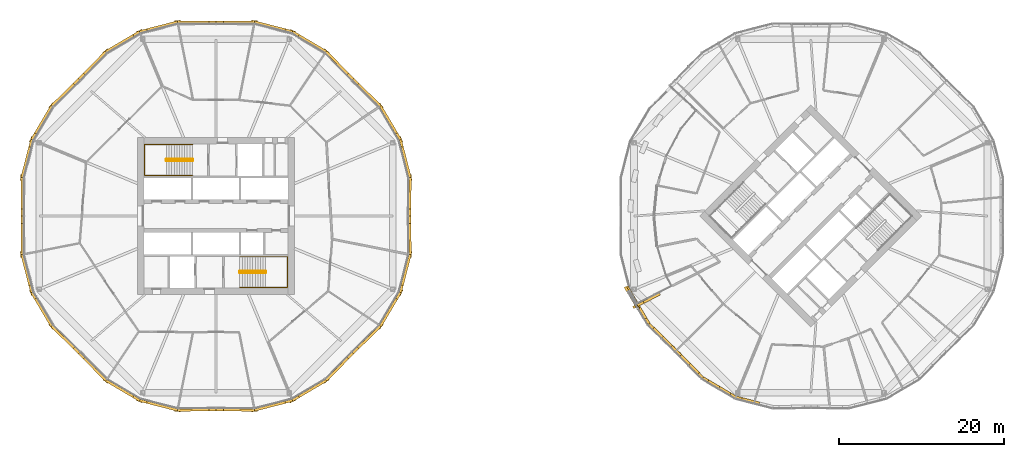
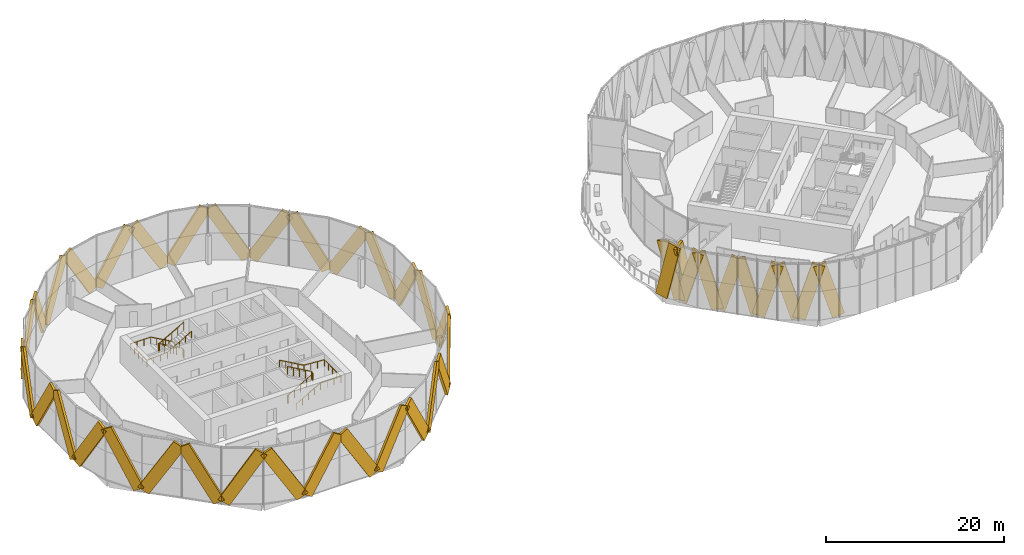
# One storey, part 28 of 31: 43 coverings, 4 railings.
"""IFC4 building model written with IfcOpenShell, lengths in metres."""

from ifc_helpers import new_model, si_unit, direction, frame, origin, origin_2d, place, context, subcontext, project, spatial, rectangle, circle, extrude, material, material_profile, profile_set, type_object, element, save


model = new_model("IFC4")

# Units and contexts
model_context = context("Model", 3, precision=1e-05, world=origin(), true_north=direction((0.0, 1.0)))
body_context = subcontext(model_context, "Body", "Model", "MODEL_VIEW")
ifc_project = project(units=[si_unit("LENGTHUNIT", "METRE"), si_unit("AREAUNIT", "SQUARE_METRE"), si_unit("VOLUMEUNIT", "CUBIC_METRE"), si_unit("PLANEANGLEUNIT", "RADIAN"), si_unit("MASSUNIT", "GRAM", prefix="KILO")], contexts=[model_context])

# Site, building, storey
site_placement = place(None, origin())
site = spatial("IfcSite", under=ifc_project, at=site_placement, CompositionType="ELEMENT")
building_placement = place(site_placement, origin())
building = spatial("IfcBuilding", under=site, at=building_placement, Name="Ogive Gate Towers", CompositionType="ELEMENT")
storey_placement = place(building_placement, frame((0.0, 0.0, 107.39990234375)))
storey = spatial("IfcBuildingStorey", under=building, at=storey_placement, Name="L25", CompositionType="ELEMENT", Elevation=107.39990234375)

# Coverings
ifc_material_1 = material(Name="Pale metal aluminium", Category="aluminium")
ifc_material_profile = material_profile(ifc_material_1, rectangle(XDim=0.300048828125, YDim=1.5, at=origin_2d()), Name="1500 x 300 pale metal aluminium")
ifc_profile_set = profile_set([ifc_material_profile], Name="Pale metal aluminium")
covering_type = type_object("IfcCoveringType", Name="Facade fin 1500 x 300", PredefinedType="CLADDING", material=ifc_profile_set)
covering_1_placement = place(storey_placement, frame((-12.50634765625, 4.39013671875, 0.13623046875), z_axis=(-0.00510571311, -0.514831107195, 0.857276421441), x_axis=(0.99995082762, -0.009916770722, 0.0)))
element("IfcCovering", 1, at=covering_1_placement, inside=storey, type_object=covering_type, Name="Facade fin", PredefinedType="CLADDING", context=body_context, shape_type="SweptSolid", body=[
    extrude(rectangle(XDim=0.300048828125, YDim=1.5, at=origin_2d()), origin(), (0.0, 0.0, 1.0), 8.0810546875),
])
for number, where, z_axis, x_axis, name in (
    (2, (-12.56982421875, 4.90625, 0.139892578125), (-0.129501542212, 0.50341953947, 0.854282223767), (-0.968469355156, -0.249132711872, 0.0), "Facade fin"),
    (3, (-15.963134765625, 13.098388671875, 0.139892578125), (0.264397701784, -0.44754426895, 0.854282144623), (0.860977310403, 0.508643363243, 0.0), "Facade fin"),
):
    element("IfcCovering", number, at=place(storey_placement, frame(where, z_axis=z_axis, x_axis=x_axis)), inside=storey, type_object=covering_type, Name=name, PredefinedType="CLADDING", context=body_context, shape_type="SweptSolid", body=[
        extrude(rectangle(XDim=0.300048828125, YDim=1.5, at=origin_2d()), origin(), (0.0, 0.0, 1.0), 8.100830078125),
    ])
for number, where, z_axis, x_axis, name in (
    (4, (-16.283203125, 13.50830078125, 0.13623046875), (-0.367644035222, 0.360423480992, 0.857282204245), (-0.70005967701, -0.714084342794, 0.0), "Facade fin"),
    (5, (-22.49169921875, 19.716796875, 0.13623046875), (0.360423480992, -0.367644035222, 0.857282204245), (0.714084342794, 0.70005967701, 0.0), "Facade fin"),
):
    element("IfcCovering", number, at=place(storey_placement, frame(where, z_axis=z_axis, x_axis=x_axis)), inside=storey, type_object=covering_type, Name=name, PredefinedType="CLADDING", context=body_context, shape_type="SweptSolid", body=[
        extrude(rectangle(XDim=0.300048828125, YDim=1.5, at=origin_2d()), origin(), (0.0, 0.0, 1.0), 8.0810546875),
    ])
for number, where, z_axis, x_axis, name in (
    (6, (-22.901611328125, 20.036865234375, 0.139892578125), (-0.44754426895, 0.264397701784, 0.854282144623), (-0.508643363243, -0.860977310403, 0.0), "Facade fin"),
    (7, (-31.09375, 23.43017578125, 0.139892578125), (0.50341953947, -0.129501542212, 0.854282223767), (0.249132711872, 0.968469355156, 0.0), "Facade fin"),
):
    element("IfcCovering", number, at=place(storey_placement, frame(where, z_axis=z_axis, x_axis=x_axis)), inside=storey, type_object=covering_type, Name=name, PredefinedType="CLADDING", context=body_context, shape_type="SweptSolid", body=[
        extrude(rectangle(XDim=0.300048828125, YDim=1.5, at=origin_2d()), origin(), (0.0, 0.0, 1.0), 8.100830078125),
    ])
for number, where, z_axis, x_axis, name in (
    (8, (-31.60986328125, 23.49365234375, 0.13623046875), (-0.514831107195, -0.00510571311, 0.857276421441), (0.009916770722, -0.99995082762, 0.0), "Facade fin"),
    (9, (-40.39013671875, 23.49365234375, 0.13623046875), (0.514831107195, -0.00510571311, 0.857276421441), (0.009916770722, 0.99995082762, 0.0), "Facade fin"),
):
    element("IfcCovering", number, at=place(storey_placement, frame(where, z_axis=z_axis, x_axis=x_axis)), inside=storey, type_object=covering_type, Name=name, PredefinedType="CLADDING", context=body_context, shape_type="SweptSolid", body=[
        extrude(rectangle(XDim=0.300048828125, YDim=1.5, at=origin_2d()), origin(), (0.0, 0.0, 1.0), 8.0810546875),
    ])
for number, where, z_axis, x_axis, name in (
    (10, (-40.90625, 23.43017578125, 0.139892578125), (-0.50341953947, -0.129501542212, 0.854282223767), (0.249132711872, -0.968469355156, 0.0), "Facade fin"),
    (11, (-49.098388671875, 20.036865234375, 0.139892578125), (0.44754426895, 0.264397701784, 0.854282144623), (-0.508643363243, 0.860977310403, 0.0), "Facade fin"),
):
    element("IfcCovering", number, at=place(storey_placement, frame(where, z_axis=z_axis, x_axis=x_axis)), inside=storey, type_object=covering_type, Name=name, PredefinedType="CLADDING", context=body_context, shape_type="SweptSolid", body=[
        extrude(rectangle(XDim=0.300048828125, YDim=1.5, at=origin_2d()), origin(), (0.0, 0.0, 1.0), 8.100830078125),
    ])
for number, where, z_axis, x_axis, name in (
    (12, (-49.50830078125, 19.716796875, 0.13623046875), (-0.360423480992, -0.367644035222, 0.857282204245), (0.714084342794, -0.70005967701, 0.0), "Facade fin"),
    (13, (-55.716796875, 13.50830078125, 0.13623046875), (0.367644035222, 0.360423480992, 0.857282204245), (-0.70005967701, 0.714084342794, 0.0), "Facade fin"),
):
    element("IfcCovering", number, at=place(storey_placement, frame(where, z_axis=z_axis, x_axis=x_axis)), inside=storey, type_object=covering_type, Name=name, PredefinedType="CLADDING", context=body_context, shape_type="SweptSolid", body=[
        extrude(rectangle(XDim=0.300048828125, YDim=1.5, at=origin_2d()), origin(), (0.0, 0.0, 1.0), 8.0810546875),
    ])
for number, where, z_axis, x_axis, name in (
    (14, (-56.036865234375, 13.098388671875, 0.139892578125), (-0.264397701784, -0.44754426895, 0.854282144623), (0.860977310403, -0.508643363243, 0.0), "Facade fin"),
    (15, (-59.43017578125, 4.90625, 0.139892578125), (0.129501542212, 0.50341953947, 0.854282223767), (-0.968469355156, 0.249132711872, 0.0), "Facade fin"),
):
    element("IfcCovering", number, at=place(storey_placement, frame(where, z_axis=z_axis, x_axis=x_axis)), inside=storey, type_object=covering_type, Name=name, PredefinedType="CLADDING", context=body_context, shape_type="SweptSolid", body=[
        extrude(rectangle(XDim=0.300048828125, YDim=1.5, at=origin_2d()), origin(), (0.0, 0.0, 1.0), 8.100830078125),
    ])
for number, where, z_axis, x_axis, name in (
    (16, (-59.49365234375, 4.39013671875, 0.13623046875), (0.00510571311, -0.514831107195, 0.857276421441), (0.99995082762, 0.009916770722, 0.0), "Facade fin"),
    (17, (-59.49365234375, -4.39013671875, 0.13623046875), (0.00510571311, 0.514831107195, 0.857276421441), (-0.99995082762, 0.009916770722, 0.0), "Facade fin"),
):
    element("IfcCovering", number, at=place(storey_placement, frame(where, z_axis=z_axis, x_axis=x_axis)), inside=storey, type_object=covering_type, Name=name, PredefinedType="CLADDING", context=body_context, shape_type="SweptSolid", body=[
        extrude(rectangle(XDim=0.300048828125, YDim=1.5, at=origin_2d()), origin(), (0.0, 0.0, 1.0), 8.0810546875),
    ])
for number, where, z_axis, x_axis, name in (
    (18, (-59.43017578125, -4.90625, 0.139892578125), (0.129501542212, -0.50341953947, 0.854282223767), (0.968469355156, 0.249132711872, 0.0), "Facade fin"),
    (19, (-56.036865234375, -13.098388671875, 0.139892578125), (-0.264397701784, 0.44754426895, 0.854282144623), (-0.860977310403, -0.508643363243, 0.0), "Facade fin"),
):
    element("IfcCovering", number, at=place(storey_placement, frame(where, z_axis=z_axis, x_axis=x_axis)), inside=storey, type_object=covering_type, Name=name, PredefinedType="CLADDING", context=body_context, shape_type="SweptSolid", body=[
        extrude(rectangle(XDim=0.300048828125, YDim=1.5, at=origin_2d()), origin(), (0.0, 0.0, 1.0), 8.100830078125),
    ])
for number, where, z_axis, x_axis, name in (
    (20, (-55.716796875, -13.50830078125, 0.13623046875), (0.367644035222, -0.360423480992, 0.857282204245), (0.70005967701, 0.714084342794, 0.0), "Facade fin"),
    (21, (-49.50830078125, -19.716796875, 0.13623046875), (-0.360423480992, 0.367644035222, 0.857282204245), (-0.714084342794, -0.70005967701, 0.0), "Facade fin"),
):
    element("IfcCovering", number, at=place(storey_placement, frame(where, z_axis=z_axis, x_axis=x_axis)), inside=storey, type_object=covering_type, Name=name, PredefinedType="CLADDING", context=body_context, shape_type="SweptSolid", body=[
        extrude(rectangle(XDim=0.300048828125, YDim=1.5, at=origin_2d()), origin(), (0.0, 0.0, 1.0), 8.0810546875),
    ])
for number, where, z_axis, x_axis, name in (
    (22, (-49.098388671875, -20.036865234375, 0.139892578125), (0.44754426895, -0.264397701784, 0.854282144623), (0.508643363243, 0.860977310403, 0.0), "Facade fin"),
    (23, (-40.90625, -23.43017578125, 0.139892578125), (-0.50341953947, 0.129501542212, 0.854282223767), (-0.249132711872, -0.968469355156, 0.0), "Facade fin"),
):
    element("IfcCovering", number, at=place(storey_placement, frame(where, z_axis=z_axis, x_axis=x_axis)), inside=storey, type_object=covering_type, Name=name, PredefinedType="CLADDING", context=body_context, shape_type="SweptSolid", body=[
        extrude(rectangle(XDim=0.300048828125, YDim=1.5, at=origin_2d()), origin(), (0.0, 0.0, 1.0), 8.100830078125),
    ])
for number, where, z_axis, x_axis, name in (
    (24, (-40.39013671875, -23.49365234375, 0.13623046875), (0.514831107195, 0.00510571311, 0.857276421441), (-0.009916770722, 0.99995082762, 0.0), "Facade fin"),
    (25, (-31.60986328125, -23.49365234375, 0.13623046875), (-0.514831107195, 0.00510571311, 0.857276421441), (-0.009916770722, -0.99995082762, 0.0), "Facade fin"),
):
    element("IfcCovering", number, at=place(storey_placement, frame(where, z_axis=z_axis, x_axis=x_axis)), inside=storey, type_object=covering_type, Name=name, PredefinedType="CLADDING", context=body_context, shape_type="SweptSolid", body=[
        extrude(rectangle(XDim=0.300048828125, YDim=1.5, at=origin_2d()), origin(), (0.0, 0.0, 1.0), 8.0810546875),
    ])
for number, where, z_axis, x_axis, name in (
    (26, (-31.09375, -23.43017578125, 0.139892578125), (0.50341953947, 0.129501542212, 0.854282223767), (-0.249132711872, 0.968469355156, 0.0), "Facade fin"),
    (27, (-22.901611328125, -20.036865234375, 0.139892578125), (-0.44754426895, -0.264397701784, 0.854282144623), (0.508643363243, -0.860977310403, 0.0), "Facade fin"),
):
    element("IfcCovering", number, at=place(storey_placement, frame(where, z_axis=z_axis, x_axis=x_axis)), inside=storey, type_object=covering_type, Name=name, PredefinedType="CLADDING", context=body_context, shape_type="SweptSolid", body=[
        extrude(rectangle(XDim=0.300048828125, YDim=1.5, at=origin_2d()), origin(), (0.0, 0.0, 1.0), 8.100830078125),
    ])
for number, where, z_axis, x_axis, name in (
    (28, (-22.49169921875, -19.716796875, 0.13623046875), (0.360423480992, 0.367644035222, 0.857282204245), (-0.714084342794, 0.70005967701, 0.0), "Facade fin"),
    (29, (-16.283203125, -13.50830078125, 0.13623046875), (-0.367644035222, -0.360423480992, 0.857282204245), (0.70005967701, -0.714084342794, 0.0), "Facade fin"),
):
    element("IfcCovering", number, at=place(storey_placement, frame(where, z_axis=z_axis, x_axis=x_axis)), inside=storey, type_object=covering_type, Name=name, PredefinedType="CLADDING", context=body_context, shape_type="SweptSolid", body=[
        extrude(rectangle(XDim=0.300048828125, YDim=1.5, at=origin_2d()), origin(), (0.0, 0.0, 1.0), 8.0810546875),
    ])
for number, where, z_axis, x_axis, name in (
    (30, (-15.963134765625, -13.098388671875, 0.139892578125), (0.264397701784, 0.44754426895, 0.854282144623), (-0.860977310403, 0.508643363243, 0.0), "Facade fin"),
    (31, (-12.56982421875, -4.90625, 0.139892578125), (-0.129501542212, -0.50341953947, 0.854282223767), (0.968469355156, -0.249132711872, 0.0), "Facade fin"),
):
    element("IfcCovering", number, at=place(storey_placement, frame(where, z_axis=z_axis, x_axis=x_axis)), inside=storey, type_object=covering_type, Name=name, PredefinedType="CLADDING", context=body_context, shape_type="SweptSolid", body=[
        extrude(rectangle(XDim=0.300048828125, YDim=1.5, at=origin_2d()), origin(), (0.0, 0.0, 1.0), 8.100830078125),
    ])
covering_2_placement = place(storey_placement, frame((-12.50634765625, -4.39013671875, 0.13623046875), z_axis=(-0.00510571311, 0.514831107195, 0.857276421441), x_axis=(-0.99995082762, -0.009916770722, 0.0)))
element("IfcCovering", 32, at=covering_2_placement, inside=storey, type_object=covering_type, Name="Facade fin", PredefinedType="CLADDING", context=body_context, shape_type="SweptSolid", body=[
    extrude(rectangle(XDim=0.300048828125, YDim=1.5, at=origin_2d()), origin(), (0.0, 0.0, 1.0), 8.0810546875),
])
covering_3_placement = place(storey_placement, frame((18.10791015625, -14.708740234375, -0.13671875), z_axis=(0.202945316901, -0.198977201054, 0.958760278594), x_axis=(0.700091511441, 0.714053132202, 0.0)))
element("IfcCovering", 33, at=covering_3_placement, inside=storey, type_object=covering_type, Name="Facade fin", PredefinedType="CLADDING", context=body_context, shape_type="SweptSolid", body=[
    extrude(rectangle(XDim=0.300048828125, YDim=1.5, at=origin_2d()), origin(), (0.0, 0.0, 1.0), 7.690673828125),
])
covering_4_placement = place(storey_placement, frame((18.017578125, -14.620361328125, -0.13671875), z_axis=(-0.202939140283, 0.198971145205, 0.958762842791), x_axis=(-0.700091511441, -0.714053132202, 0.0)))
element("IfcCovering", 34, at=covering_4_placement, inside=storey, type_object=covering_type, Name="Facade fin", PredefinedType="CLADDING", context=body_context, shape_type="SweptSolid", body=[
    extrude(rectangle(XDim=0.300048828125, YDim=1.5, at=origin_2d()), origin(), (0.0, 0.0, 1.0), 7.69091796875),
])
for number, where, z_axis, x_axis, name in (
    (35, (15.290283203125, -11.133544921875, -0.134765625), (0.145884142612, -0.246990707407, 0.957973594307), (0.861025620565, 0.508561580077, 0.0), "Facade fin"),
    (36, (15.224609375, -11.022705078125, -0.134765625), (-0.145885286015, 0.246960908369, 0.957981102664), (-0.860997003955, -0.508610026623, 0.0), "Facade fin"),
):
    element("IfcCovering", number, at=place(storey_placement, frame(where, z_axis=z_axis, x_axis=x_axis)), inside=storey, type_object=covering_type, Name=name, PredefinedType="CLADDING", context=body_context, shape_type="SweptSolid", body=[
        extrude(rectangle(XDim=0.300048828125, YDim=1.5, at=origin_2d()), origin(), (0.0, 0.0, 1.0), 7.693115234375),
    ])
covering_5_placement = place(storey_placement, frame((13.8994140625, -9.2119140625, -0.18310546875), z_axis=(0.113171631726, -0.19156291128, 0.974933758157), x_axis=(0.860975016006, 0.508647246933, 0.0)))
element("IfcCovering", 37, at=covering_5_placement, inside=storey, type_object=covering_type, Name="Facade fin", PredefinedType="CLADDING", context=body_context, shape_type="SweptSolid", body=[
    extrude(rectangle(XDim=0.300048828125, YDim=1.5, at=origin_2d()), origin(), (0.0, 0.0, 1.0), 7.658203125),
])
covering_6_placement = place(storey_placement, frame((17.09765625, -9.754638671875, -0.133544921875), z_axis=(-0.257073764165, -0.130980066462, 0.957474439329), x_axis=(0.453975204021, -0.891014317581, 0.0)))
element("IfcCovering", 38, at=covering_6_placement, inside=storey, type_object=covering_type, Name="Facade fin", PredefinedType="CLADDING", context=body_context, shape_type="SweptSolid", body=[
    extrude(rectangle(XDim=0.300048828125, YDim=1.5, at=origin_2d()), origin(), (0.0, 0.0, 1.0), 7.6943359375),
])
for number, where, z_axis, x_axis, name in (
    (39, (29.0966796875, -22.482666015625, -0.13427734375), (-0.278575957576, 0.07165104365, 0.957737732265), (-0.249097211846, -0.968478486623, 0.0), "Facade fin"),
    (40, (24.983642578125, -20.779296875, -0.13427734375), (0.247668818854, -0.146284850085, 0.957737385092), (0.508562052946, 0.861025341267, 0.0), "Facade fin"),
    (41, (24.8720703125, -20.713134765625, -0.13427734375), (-0.247637883216, 0.14631705273, 0.957740465302), (-0.508692143634, -0.860948490332, 0.0), "Facade fin"),
):
    element("IfcCovering", number, at=place(storey_placement, frame(where, z_axis=z_axis, x_axis=x_axis)), inside=storey, type_object=covering_type, Name=name, PredefinedType="CLADDING", context=body_context, shape_type="SweptSolid", body=[
        extrude(rectangle(XDim=0.300048828125, YDim=1.5, at=origin_2d()), origin(), (0.0, 0.0, 1.0), 7.69384765625),
    ])
covering_7_placement = place(storey_placement, frame((21.379638671875, -17.982421875, -0.13671875), z_axis=(0.198971145205, -0.202939140283, 0.958762842791), x_axis=(0.714053132202, 0.700091511441, 0.0)))
element("IfcCovering", 42, at=covering_7_placement, inside=storey, type_object=covering_type, Name="Facade fin", PredefinedType="CLADDING", context=body_context, shape_type="SweptSolid", body=[
    extrude(rectangle(XDim=0.300048828125, YDim=1.5, at=origin_2d()), origin(), (0.0, 0.0, 1.0), 7.69091796875),
])
covering_8_placement = place(storey_placement, frame((21.291259765625, -17.89208984375, -0.13671875), z_axis=(-0.198977201054, 0.202945316901, 0.958760278594), x_axis=(-0.714053132202, -0.700091511441, 0.0)))
element("IfcCovering", 43, at=covering_8_placement, inside=storey, type_object=covering_type, Name="Facade fin", PredefinedType="CLADDING", context=body_context, shape_type="SweptSolid", body=[
    extrude(rectangle(XDim=0.300048828125, YDim=1.5, at=origin_2d()), origin(), (0.0, 0.0, 1.0), 7.690673828125),
])

# Railings
ifc_material_2 = material(Name="Stainless steel", Category="steel")
railing_type_1 = type_object("IfcRailingType", Name="Stair guard 1100", PredefinedType="GUARDRAIL", material=ifc_material_2)
railing_1_placement = place(storey_placement, frame((-38.81494140625, 6.860107421875, 0.0)))
element("IfcRailing", 44, at=railing_1_placement, inside=storey, type_object=railing_type_1, Name="L25 ST1 stair guard 1", PredefinedType="GUARDRAIL", context=body_context, shape_type="SweptSolid", body=[
    extrude(circle(Radius=0.02392578125, at=origin_2d()), frame((0.0, 0.0, 1.076171875), z_axis=(0.0, -1.0, 0.0), x_axis=(1.0, 0.0, 0.0)), (0.0, 0.0, 1.0), 0.14501953125),
    extrude(circle(Radius=0.02392578125, at=origin_2d()), frame((0.0, -0.14501953125, 1.076171875), z_axis=(-0.186567429962, 0.726247849316, 0.661631812598), x_axis=(-0.968551454522, -0.24881334358, 0.0)), (0.0, 0.0, 1.0), 0.268310546875),
    extrude(circle(Radius=0.02392578125, at=origin_2d()), frame((-0.050048828125, 0.0498046875, 1.25341796875), z_axis=(-0.870572935281, 0.0, 0.492039393094), x_axis=(0.0, -1.0, 0.0)), (0.0, 0.0, 1.0), 3.602783203125),
    extrude(circle(Radius=0.02392578125, at=origin_2d()), frame((-3.1865234375, 0.0498046875, 3.0263671875), z_axis=(-0.707106781187, -0.707106781187, 0.0), x_axis=(0.707106781187, -0.707106781187, 0.0)), (0.0, 0.0, 1.0), 0.0703125),
    extrude(circle(Radius=0.02392578125, at=origin_2d()), frame((-3.236328125, 0.0, 3.0263671875), z_axis=(0.0, -1.0, 0.0), x_axis=(1.0, 0.0, 0.0)), (0.0, 0.0, 1.0), 0.14501953125),
    extrude(circle(Radius=0.02392578125, at=origin_2d()), frame((-3.236328125, -0.14501953125, 3.0263671875), z_axis=(0.261041864531, -0.262321481514, 0.929001929653), x_axis=(0.708833529934, 0.705375805398, 0.0)), (0.0, 0.0, 1.0), 0.190673828125),
    extrude(circle(Radius=0.02392578125, at=origin_2d()), frame((-3.1865234375, -0.195068359375, 3.20361328125), z_axis=(0.870572935281, 0.0, 0.492039393094), x_axis=(0.0, 1.0, 0.0)), (0.0, 0.0, 1.0), 3.602783203125),
    extrude(circle(Radius=0.02099609375, at=origin_2d()), origin(), (0.0, 0.0, 1.0), 1.052001953125),
    extrude(circle(Radius=0.02099609375, at=origin_2d()), frame((0.0, -0.14501953125, 0.0)), (0.0, 0.0, 1.0), 1.052001953125),
    extrude(circle(Radius=0.02099609375, at=origin_2d()), frame((-0.050048828125, 0.0498046875, 0.177490234375)), (0.0, 0.0, 1.0), 1.052001953125),
    extrude(circle(Radius=0.02099609375, at=origin_2d()), frame((-0.834228515625, 0.0498046875, 0.62060546875)), (0.0, 0.0, 1.0), 1.052001953125),
    extrude(circle(Radius=0.02099609375, at=origin_2d()), frame((-1.6181640625, 0.0498046875, 1.06396484375)), (0.0, 0.0, 1.0), 1.052001953125),
    extrude(circle(Radius=0.02099609375, at=origin_2d()), frame((-2.40234375, 0.0498046875, 1.507080078125)), (0.0, 0.0, 1.0), 1.052001953125),
    extrude(circle(Radius=0.02099609375, at=origin_2d()), frame((-3.1865234375, 0.0498046875, 1.9501953125)), (0.0, 0.0, 1.0), 1.052001953125),
    extrude(circle(Radius=0.02099609375, at=origin_2d()), frame((-3.236328125, 0.0, 1.9501953125)), (0.0, 0.0, 1.0), 1.052001953125),
    extrude(circle(Radius=0.02099609375, at=origin_2d()), frame((-3.236328125, -0.14501953125, 1.9501953125)), (0.0, 0.0, 1.0), 1.052001953125),
    extrude(circle(Radius=0.02099609375, at=origin_2d()), frame((-3.1865234375, -0.195068359375, 2.12744140625)), (0.0, 0.0, 1.0), 1.052001953125),
    extrude(circle(Radius=0.02099609375, at=origin_2d()), frame((-2.40234375, -0.195068359375, 2.570556640625)), (0.0, 0.0, 1.0), 1.052001953125),
    extrude(circle(Radius=0.02099609375, at=origin_2d()), frame((-1.6181640625, -0.195068359375, 3.013671875)), (0.0, 0.0, 1.0), 1.052001953125),
    extrude(circle(Radius=0.02099609375, at=origin_2d()), frame((-0.834228515625, -0.195068359375, 3.45703125)), (0.0, 0.0, 1.0), 1.052001953125),
    extrude(circle(Radius=0.02099609375, at=origin_2d()), frame((-0.050048828125, -0.195068359375, 3.900146484375)), (0.0, 0.0, 1.0), 1.052001953125),
])
railing_2_placement = place(storey_placement, frame((-33.18505859375, -6.860107421875, 0.0)))
element("IfcRailing", 45, at=railing_2_placement, inside=storey, type_object=railing_type_1, Name="L25 ST2 stair guard 1", PredefinedType="GUARDRAIL", context=body_context, shape_type="SweptSolid", body=[
    extrude(circle(Radius=0.02392578125, at=origin_2d()), frame((0.0, 0.0, 1.076171875), z_axis=(0.0, 1.0, 0.0), x_axis=(-1.0, 0.0, 0.0)), (0.0, 0.0, 1.0), 0.14501953125),
    extrude(circle(Radius=0.02392578125, at=origin_2d()), frame((0.0, 0.14501953125, 1.076171875), z_axis=(0.186567429962, -0.726247849316, 0.661631812598), x_axis=(0.968551454522, 0.24881334358, 0.0)), (0.0, 0.0, 1.0), 0.268310546875),
    extrude(circle(Radius=0.02392578125, at=origin_2d()), frame((0.050048828125, -0.0498046875, 1.25341796875), z_axis=(0.870572935281, 0.0, 0.492039393094), x_axis=(0.0, 1.0, 0.0)), (0.0, 0.0, 1.0), 3.602783203125),
    extrude(circle(Radius=0.02392578125, at=origin_2d()), frame((3.1865234375, -0.0498046875, 3.0263671875), z_axis=(0.707106781187, 0.707106781187, 0.0), x_axis=(-0.707106781187, 0.707106781187, 0.0)), (0.0, 0.0, 1.0), 0.0703125),
    extrude(circle(Radius=0.02392578125, at=origin_2d()), frame((3.236328125, 0.0, 3.0263671875), z_axis=(0.0, 1.0, 0.0), x_axis=(-1.0, 0.0, 0.0)), (0.0, 0.0, 1.0), 0.14501953125),
    extrude(circle(Radius=0.02392578125, at=origin_2d()), frame((3.236328125, 0.14501953125, 3.0263671875), z_axis=(-0.261041864531, 0.262321481514, 0.929001929653), x_axis=(-0.708833529934, -0.705375805398, 0.0)), (0.0, 0.0, 1.0), 0.190673828125),
    extrude(circle(Radius=0.02392578125, at=origin_2d()), frame((3.1865234375, 0.195068359375, 3.20361328125), z_axis=(-0.870572935281, 0.0, 0.492039393094), x_axis=(0.0, -1.0, 0.0)), (0.0, 0.0, 1.0), 3.602783203125),
    extrude(circle(Radius=0.02099609375, at=origin_2d()), origin(), (0.0, 0.0, 1.0), 1.052001953125),
    extrude(circle(Radius=0.02099609375, at=origin_2d()), frame((0.0, 0.14501953125, 0.0)), (0.0, 0.0, 1.0), 1.052001953125),
    extrude(circle(Radius=0.02099609375, at=origin_2d()), frame((0.050048828125, -0.0498046875, 0.177490234375)), (0.0, 0.0, 1.0), 1.052001953125),
    extrude(circle(Radius=0.02099609375, at=origin_2d()), frame((0.834228515625, -0.0498046875, 0.62060546875)), (0.0, 0.0, 1.0), 1.052001953125),
    extrude(circle(Radius=0.02099609375, at=origin_2d()), frame((1.6181640625, -0.0498046875, 1.06396484375)), (0.0, 0.0, 1.0), 1.052001953125),
    extrude(circle(Radius=0.02099609375, at=origin_2d()), frame((2.40234375, -0.0498046875, 1.507080078125)), (0.0, 0.0, 1.0), 1.052001953125),
    extrude(circle(Radius=0.02099609375, at=origin_2d()), frame((3.1865234375, -0.0498046875, 1.9501953125)), (0.0, 0.0, 1.0), 1.052001953125),
    extrude(circle(Radius=0.02099609375, at=origin_2d()), frame((3.236328125, 0.0, 1.9501953125)), (0.0, 0.0, 1.0), 1.052001953125),
    extrude(circle(Radius=0.02099609375, at=origin_2d()), frame((3.236328125, 0.14501953125, 1.9501953125)), (0.0, 0.0, 1.0), 1.052001953125),
    extrude(circle(Radius=0.02099609375, at=origin_2d()), frame((3.1865234375, 0.195068359375, 2.12744140625)), (0.0, 0.0, 1.0), 1.052001953125),
    extrude(circle(Radius=0.02099609375, at=origin_2d()), frame((2.40234375, 0.195068359375, 2.570556640625)), (0.0, 0.0, 1.0), 1.052001953125),
    extrude(circle(Radius=0.02099609375, at=origin_2d()), frame((1.6181640625, 0.195068359375, 3.013671875)), (0.0, 0.0, 1.0), 1.052001953125),
    extrude(circle(Radius=0.02099609375, at=origin_2d()), frame((0.834228515625, 0.195068359375, 3.45703125)), (0.0, 0.0, 1.0), 1.052001953125),
    extrude(circle(Radius=0.02099609375, at=origin_2d()), frame((0.050048828125, 0.195068359375, 3.900146484375)), (0.0, 0.0, 1.0), 1.052001953125),
])
railing_type_2 = type_object("IfcRailingType", Name="Stair handrail 900", PredefinedType="HANDRAIL", material=ifc_material_2)
railing_3_placement = place(storey_placement, frame((-38.864990234375, 8.64990234375, 0.177490234375)))
element("IfcRailing", 46, at=railing_3_placement, inside=storey, type_object=railing_type_2, Name="L25 ST1 stair handrail 1", PredefinedType="HANDRAIL", context=body_context, shape_type="SweptSolid", body=[
    extrude(circle(Radius=0.02392578125, at=origin_2d()), frame((0.0, 0.0, 0.8759765625), z_axis=(-0.870572935281, 0.0, 0.492039393094), x_axis=(0.0, -1.0, 0.0)), (0.0, 0.0, 1.0), 3.602783203125),
    extrude(circle(Radius=0.02392578125, at=origin_2d()), frame((-3.136474609375, 0.0, 2.6484375), z_axis=(-1.0, 0.0, 0.0), x_axis=(0.0, -1.0, 0.0)), (0.0, 0.0, 1.0), 2.6484375),
    extrude(circle(Radius=0.02392578125, at=origin_2d()), frame((-5.784912109375, 0.0, 2.6484375), z_axis=(0.0, -1.0, 0.0), x_axis=(1.0, 0.0, 0.0)), (0.0, 0.0, 1.0), 3.724853515625),
    extrude(circle(Radius=0.02392578125, at=origin_2d()), frame((-5.784912109375, -3.724853515625, 2.6484375), z_axis=(0.997768031817, 0.0, 0.066775404784), x_axis=(0.0, 1.0, 0.0)), (0.0, 0.0, 1.0), 2.654296875),
    extrude(circle(Radius=0.02392578125, at=origin_2d()), frame((-3.136474609375, -3.724853515625, 2.82568359375), z_axis=(0.870572935281, 0.0, 0.492039393094), x_axis=(0.0, 1.0, 0.0)), (0.0, 0.0, 1.0), 3.602783203125),
    extrude(circle(Radius=0.02099609375, at=origin_2d()), origin(), (0.0, 0.0, 1.0), 0.851806640625),
    extrude(circle(Radius=0.02099609375, at=origin_2d()), frame((-0.7841796875, 0.0, 0.443115234375)), (0.0, 0.0, 1.0), 0.851806640625),
    extrude(circle(Radius=0.02099609375, at=origin_2d()), frame((-1.568359375, 0.0, 0.88623046875)), (0.0, 0.0, 1.0), 0.851806640625),
    extrude(circle(Radius=0.02099609375, at=origin_2d()), frame((-2.352294921875, 0.0, 1.32958984375)), (0.0, 0.0, 1.0), 0.851806640625),
    extrude(circle(Radius=0.02099609375, at=origin_2d()), frame((-3.136474609375, 0.0, 1.772705078125)), (0.0, 0.0, 1.0), 0.851806640625),
    extrude(circle(Radius=0.02099609375, at=origin_2d()), frame((-4.019287109375, 0.0, 1.772705078125)), (0.0, 0.0, 1.0), 0.851806640625),
    extrude(circle(Radius=0.02099609375, at=origin_2d()), frame((-4.902099609375, 0.0, 1.772705078125)), (0.0, 0.0, 1.0), 0.851806640625),
    extrude(circle(Radius=0.02099609375, at=origin_2d()), frame((-5.784912109375, 0.0, 1.772705078125)), (0.0, 0.0, 1.0), 0.851806640625),
    extrude(circle(Radius=0.02099609375, at=origin_2d()), frame((-5.784912109375, -0.93115234375, 1.772705078125)), (0.0, 0.0, 1.0), 0.851806640625),
    extrude(circle(Radius=0.02099609375, at=origin_2d()), frame((-5.784912109375, -1.8623046875, 1.772705078125)), (0.0, 0.0, 1.0), 0.851806640625),
    extrude(circle(Radius=0.02099609375, at=origin_2d()), frame((-5.784912109375, -2.793701171875, 1.772705078125)), (0.0, 0.0, 1.0), 0.851806640625),
    extrude(circle(Radius=0.02099609375, at=origin_2d()), frame((-5.784912109375, -3.724853515625, 1.772705078125)), (0.0, 0.0, 1.0), 0.851806640625),
    extrude(circle(Radius=0.02099609375, at=origin_2d()), frame((-4.902099609375, -3.724853515625, 1.831787109375)), (0.0, 0.0, 1.0), 0.851806640625),
    extrude(circle(Radius=0.02099609375, at=origin_2d()), frame((-4.019287109375, -3.724853515625, 1.890869140625)), (0.0, 0.0, 1.0), 0.851806640625),
    extrude(circle(Radius=0.02099609375, at=origin_2d()), frame((-3.136474609375, -3.724853515625, 1.949951171875)), (0.0, 0.0, 1.0), 0.851806640625),
    extrude(circle(Radius=0.02099609375, at=origin_2d()), frame((-2.352294921875, -3.724853515625, 2.39306640625)), (0.0, 0.0, 1.0), 0.851806640625),
    extrude(circle(Radius=0.02099609375, at=origin_2d()), frame((-1.568359375, -3.724853515625, 2.83642578125)), (0.0, 0.0, 1.0), 0.851806640625),
    extrude(circle(Radius=0.02099609375, at=origin_2d()), frame((-0.7841796875, -3.724853515625, 3.279541015625)), (0.0, 0.0, 1.0), 0.851806640625),
    extrude(circle(Radius=0.02099609375, at=origin_2d()), frame((0.0, -3.724853515625, 3.72265625)), (0.0, 0.0, 1.0), 0.851806640625),
])
railing_4_placement = place(storey_placement, frame((-33.135009765625, -8.64990234375, 0.177490234375)))
element("IfcRailing", 47, at=railing_4_placement, inside=storey, type_object=railing_type_2, Name="L25 ST2 stair handrail 1", PredefinedType="HANDRAIL", context=body_context, shape_type="SweptSolid", body=[
    extrude(circle(Radius=0.02392578125, at=origin_2d()), frame((0.0, 0.0, 0.8759765625), z_axis=(0.870572935281, 0.0, 0.492039393094), x_axis=(0.0, 1.0, 0.0)), (0.0, 0.0, 1.0), 3.602783203125),
    extrude(circle(Radius=0.02392578125, at=origin_2d()), frame((3.136474609375, 0.0, 2.6484375), z_axis=(1.0, 0.0, 0.0), x_axis=(0.0, 1.0, 0.0)), (0.0, 0.0, 1.0), 2.6484375),
    extrude(circle(Radius=0.02392578125, at=origin_2d()), frame((5.784912109375, 0.0, 2.6484375), z_axis=(0.0, 1.0, 0.0), x_axis=(-1.0, 0.0, 0.0)), (0.0, 0.0, 1.0), 3.724853515625),
    extrude(circle(Radius=0.02392578125, at=origin_2d()), frame((5.784912109375, 3.724853515625, 2.6484375), z_axis=(-0.997768031817, 0.0, 0.066775404784), x_axis=(0.0, -1.0, 0.0)), (0.0, 0.0, 1.0), 2.654296875),
    extrude(circle(Radius=0.02392578125, at=origin_2d()), frame((3.136474609375, 3.724853515625, 2.82568359375), z_axis=(-0.870572935281, 0.0, 0.492039393094), x_axis=(0.0, -1.0, 0.0)), (0.0, 0.0, 1.0), 3.602783203125),
    extrude(circle(Radius=0.02099609375, at=origin_2d()), origin(), (0.0, 0.0, 1.0), 0.851806640625),
    extrude(circle(Radius=0.02099609375, at=origin_2d()), frame((0.7841796875, 0.0, 0.443115234375)), (0.0, 0.0, 1.0), 0.851806640625),
    extrude(circle(Radius=0.02099609375, at=origin_2d()), frame((1.568359375, 0.0, 0.88623046875)), (0.0, 0.0, 1.0), 0.851806640625),
    extrude(circle(Radius=0.02099609375, at=origin_2d()), frame((2.352294921875, 0.0, 1.32958984375)), (0.0, 0.0, 1.0), 0.851806640625),
    extrude(circle(Radius=0.02099609375, at=origin_2d()), frame((3.136474609375, 0.0, 1.772705078125)), (0.0, 0.0, 1.0), 0.851806640625),
    extrude(circle(Radius=0.02099609375, at=origin_2d()), frame((4.019287109375, 0.0, 1.772705078125)), (0.0, 0.0, 1.0), 0.851806640625),
    extrude(circle(Radius=0.02099609375, at=origin_2d()), frame((4.902099609375, 0.0, 1.772705078125)), (0.0, 0.0, 1.0), 0.851806640625),
    extrude(circle(Radius=0.02099609375, at=origin_2d()), frame((5.784912109375, 0.0, 1.772705078125)), (0.0, 0.0, 1.0), 0.851806640625),
    extrude(circle(Radius=0.02099609375, at=origin_2d()), frame((5.784912109375, 0.93115234375, 1.772705078125)), (0.0, 0.0, 1.0), 0.851806640625),
    extrude(circle(Radius=0.02099609375, at=origin_2d()), frame((5.784912109375, 1.8623046875, 1.772705078125)), (0.0, 0.0, 1.0), 0.851806640625),
    extrude(circle(Radius=0.02099609375, at=origin_2d()), frame((5.784912109375, 2.793701171875, 1.772705078125)), (0.0, 0.0, 1.0), 0.851806640625),
    extrude(circle(Radius=0.02099609375, at=origin_2d()), frame((5.784912109375, 3.724853515625, 1.772705078125)), (0.0, 0.0, 1.0), 0.851806640625),
    extrude(circle(Radius=0.02099609375, at=origin_2d()), frame((4.902099609375, 3.724853515625, 1.831787109375)), (0.0, 0.0, 1.0), 0.851806640625),
    extrude(circle(Radius=0.02099609375, at=origin_2d()), frame((4.019287109375, 3.724853515625, 1.890869140625)), (0.0, 0.0, 1.0), 0.851806640625),
    extrude(circle(Radius=0.02099609375, at=origin_2d()), frame((3.136474609375, 3.724853515625, 1.949951171875)), (0.0, 0.0, 1.0), 0.851806640625),
    extrude(circle(Radius=0.02099609375, at=origin_2d()), frame((2.352294921875, 3.724853515625, 2.39306640625)), (0.0, 0.0, 1.0), 0.851806640625),
    extrude(circle(Radius=0.02099609375, at=origin_2d()), frame((1.568359375, 3.724853515625, 2.83642578125)), (0.0, 0.0, 1.0), 0.851806640625),
    extrude(circle(Radius=0.02099609375, at=origin_2d()), frame((0.7841796875, 3.724853515625, 3.279541015625)), (0.0, 0.0, 1.0), 0.851806640625),
    extrude(circle(Radius=0.02099609375, at=origin_2d()), frame((0.0, 3.724853515625, 3.72265625)), (0.0, 0.0, 1.0), 0.851806640625),
])

save(model, "model.ifc")
